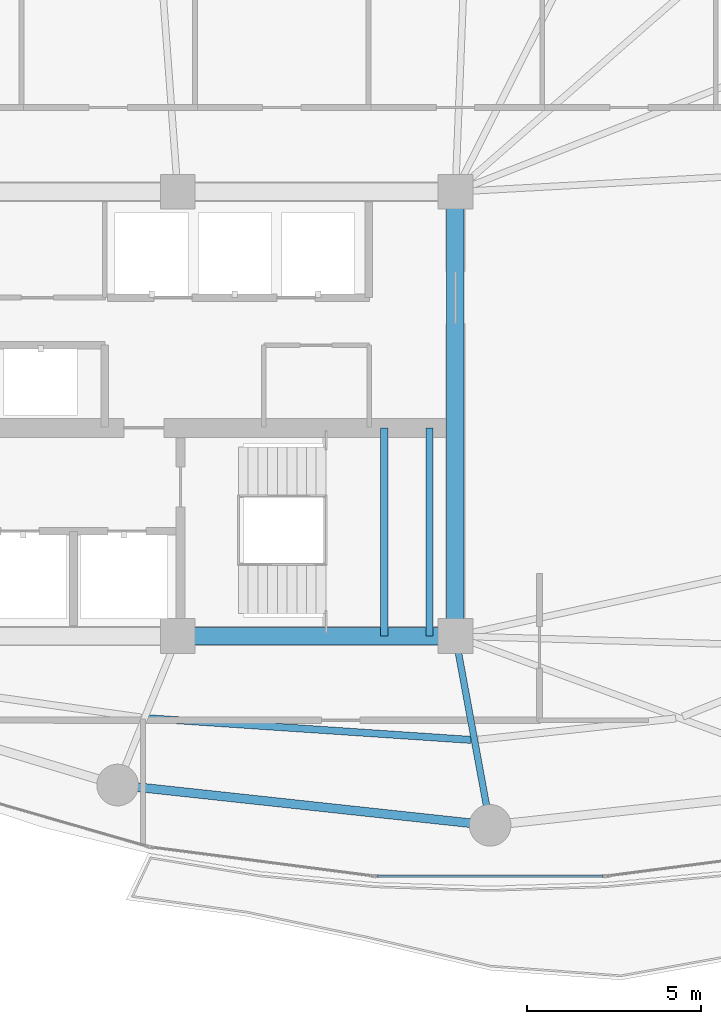
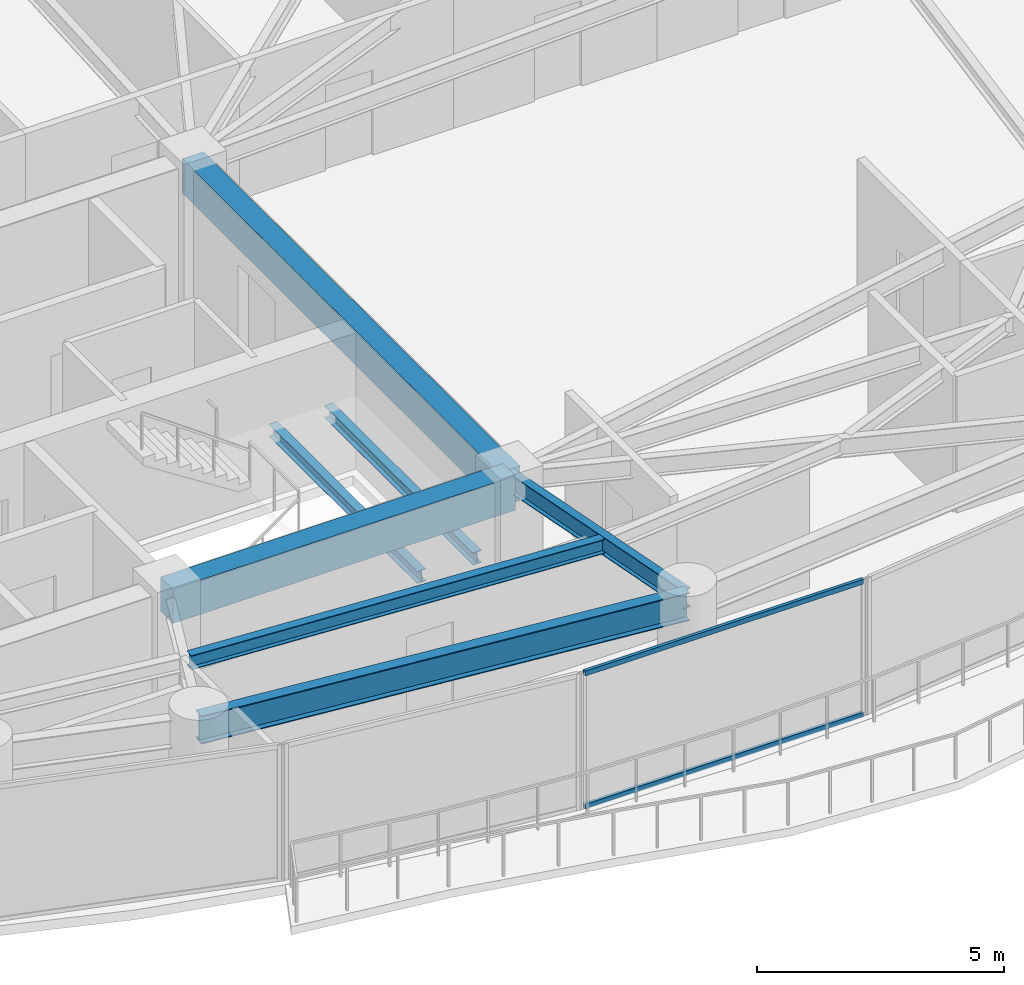
# One storey, part 6 of 30: 7 beams, 2 members, 1 element without a shape of its own.
"""IFC4 building model written with IfcOpenShell, lengths in metres."""

from ifc_helpers import new_model, si_unit, direction, frame, origin, origin_2d, place, context, subcontext, project, spatial, rectangle, hollow_rectangle, i_section, extrude, material, layer, layer_set, material_profile, profile_set, type_object, element, aggregate, save


model = new_model("IFC4")

# Units and contexts
model_context = context("Model", 3, precision=1e-05, world=origin(), true_north=direction((0.0, 1.0)))
body_context = subcontext(model_context, "Body", "Model", "MODEL_VIEW")
ifc_project = project(units=[si_unit("LENGTHUNIT", "METRE"), si_unit("AREAUNIT", "SQUARE_METRE"), si_unit("VOLUMEUNIT", "CUBIC_METRE"), si_unit("PLANEANGLEUNIT", "RADIAN"), si_unit("MASSUNIT", "GRAM", prefix="KILO")], contexts=[model_context])

# Site, building, storey
site_placement = place(None, origin())
site = spatial("IfcSite", under=ifc_project, at=site_placement, CompositionType="ELEMENT")
building_placement = place(site_placement, origin())
building = spatial("IfcBuilding", under=site, at=building_placement, Name="Kazevale Care Tower and Concert Hall", CompositionType="ELEMENT")
storey_placement = place(building_placement, frame((0.0, 0.0, 127.800048828125)))
storey = spatial("IfcBuildingStorey", under=building, at=storey_placement, Name="L33", CompositionType="ELEMENT", Elevation=127.800048828125)

# Curtain wall, members
ifc_material_1 = material(Name="Aluminium 6063-T6 and Low-E Glass", Category="aluminium")
ifc_layer = layer(ifc_material_1, 0.179931640625)
ifc_layer_set = layer_set([ifc_layer], Name="Aluminium 6063-T6 and Low-E Glass")
curtain_wall_type = type_object("IfcCurtainWallType", Name="Sheltered Concave Balcony Curtain Wall CW-5", PredefinedType="NOTDEFINED", material=ifc_layer_set)
curtain_wall_placement = place(storey_placement, origin())
curtain_wall = element("IfcCurtainWall", 1, at=curtain_wall_placement, inside=storey, type_object=curtain_wall_type, Name="cw:L33:f06", PredefinedType="NOTDEFINED")
ifc_material_2 = material(Name="Aluminium 6063-T6", Category="aluminium")
ifc_material_profile_1 = material_profile(ifc_material_2, hollow_rectangle(XDim=0.074951171875, YDim=0.1201171875, WallThickness=0.00390625, at=origin_2d()), Name="ALU75x120x4")
ifc_profile_set_1 = profile_set([ifc_material_profile_1], Name="Aluminium 6063-T6")
member_type = type_object("IfcMemberType", Name="CW-5 Transom ALU75x120x4", PredefinedType="USERDEFINED", material=ifc_profile_set_1)
member_1_placement = place(storey_placement, frame((48.25, 16.68408203125, 0.037353515625), z_axis=(-1.0, 0.0, 0.0), x_axis=(0.0, -1.0, 0.0)))
member_1 = element("IfcMember", 2, at=member_1_placement, type_object=member_type, Name="CW-5 transom 1.1", ObjectType="TRANSOM", PredefinedType="USERDEFINED", context=body_context, shape_type="SweptSolid", body=[
    extrude(hollow_rectangle(XDim=0.074951171875, YDim=0.1201171875, WallThickness=0.00390625, at=origin_2d()), origin(), (0.0, 0.0, 1.0), 6.5),
])
member_2_placement = place(storey_placement, frame((48.25, 16.68408203125, 3.322509765625), z_axis=(-1.0, 0.0, 0.0), x_axis=(0.0, -1.0, 0.0)))
member_2 = element("IfcMember", 3, at=member_2_placement, type_object=member_type, Name="CW-5 transom 1.2", ObjectType="TRANSOM", PredefinedType="USERDEFINED", context=body_context, shape_type="SweptSolid", body=[
    extrude(hollow_rectangle(XDim=0.074951171875, YDim=0.1201171875, WallThickness=0.00390625, at=origin_2d()), origin(), (0.0, 0.0, 1.0), 6.5),
])
aggregate(curtain_wall, [member_1, member_2])

# Beams
ifc_material_3 = material(Name="Concrete C60", Category="concrete")
ifc_material_profile_2 = material_profile(ifc_material_3, rectangle(XDim=0.5, YDim=0.85009765625, at=origin_2d()), Name="RC-B500x850")
ifc_profile_set_2 = profile_set([ifc_material_profile_2], Name="Concrete C60")
beam_type_1 = type_object("IfcBeamType", Name="Core Coupling Beam RC500x850", PredefinedType="LINTEL", material=ifc_profile_set_2)
beam_1_placement = place(storey_placement, frame((36.0, 23.60009765625, 2.93505859375), z_axis=(1.0, 0.0, 0.0), x_axis=(0.0, 1.0, 0.0)))
element("IfcBeam", 4, at=beam_1_placement, inside=storey, type_object=beam_type_1, Name="beam:L33:coretie:3", PredefinedType="LINTEL", context=body_context, shape_type="SweptSolid", body=[
    extrude(rectangle(XDim=0.5, YDim=0.85009765625, at=origin_2d()), origin(), (0.0, 0.0, 1.0), 8.0),
])
beam_2_placement = place(storey_placement, frame((44.0, 23.60009765625, 2.93505859375), z_axis=(0.0, 1.0, 0.0), x_axis=(-1.0, 0.0, 0.0)))
element("IfcBeam", 5, at=beam_2_placement, inside=storey, type_object=beam_type_1, Name="beam:L33:coretie:4", PredefinedType="LINTEL", context=body_context, shape_type="SweptSolid", body=[
    extrude(rectangle(XDim=0.5, YDim=0.85009765625, at=origin_2d()), origin(), (0.0, 0.0, 1.0), 12.7998046875),
])
ifc_material_4 = material(Name="Steel ASTM A572 Gr 50", Category="steel")
ifc_material_profile_3 = material_profile(ifc_material_4, i_section(OverallWidth=0.19091796875, OverallDepth=0.4599609375, WebThickness=0.010009765625, FlangeThickness=0.01611328125, at=origin_2d()), Name="W460x82")
ifc_profile_set_3 = profile_set([ifc_material_profile_3], Name="Steel ASTM A572 Gr 50")
beam_type_2 = type_object("IfcBeamType", Name="Radial Floor Beam W460x82", PredefinedType="BEAM", material=ifc_profile_set_3)
beam_3_placement = place(storey_placement, frame((44.0, 23.60009765625, 3.1298828125), z_axis=(0.180467114023, -0.983581018908, 0.0), x_axis=(0.983581018908, 0.180467114023, 0.0)))
element("IfcBeam", 6, at=beam_3_placement, inside=storey, type_object=beam_type_2, Name="beam:L33:rad:13", PredefinedType="BEAM", context=body_context, shape_type="SweptSolid", body=[
    extrude(i_section(OverallWidth=0.19091796875, OverallDepth=0.4599609375, WebThickness=0.010009765625, FlangeThickness=0.01611328125, at=origin_2d()), origin(), (0.0, 0.0, 1.0), 5.541259765625),
])
ifc_material_profile_4 = material_profile(ifc_material_4, i_section(OverallWidth=0.205078125, OverallDepth=0.35400390625, WebThickness=0.009521484375, FlangeThickness=0.016845703125, at=origin_2d()), Name="W360x79")
ifc_profile_set_4 = profile_set([ifc_material_profile_4], Name="Steel ASTM A572 Gr 50")
beam_type_3 = type_object("IfcBeamType", Name="Secondary Floor Joist W360x79", PredefinedType="JOIST", material=ifc_profile_set_4)
beam_4_placement = place(storey_placement, frame((35.153076171875, 21.23291015625, 3.182861328125), z_axis=(0.997761314569, -0.06687569925, 0.0), x_axis=(0.06687569925, 0.997761314569, 0.0)))
element("IfcBeam", 7, at=beam_4_placement, inside=storey, type_object=beam_type_3, Name="beam:L33:joist:12", PredefinedType="JOIST", context=body_context, shape_type="SweptSolid", body=[
    extrude(i_section(OverallWidth=0.205078125, OverallDepth=0.35400390625, WebThickness=0.009521484375, FlangeThickness=0.016845703125, at=origin_2d()), origin(), (0.0, 0.0, 1.0), 9.312744140625),
])
ifc_material_profile_5 = material_profile(ifc_material_4, i_section(OverallWidth=0.202880859375, OverallDepth=0.302978515625, WebThickness=0.007568359375, FlangeThickness=0.01318359375, at=origin_2d()), Name="W310x60")
ifc_profile_set_5 = profile_set([ifc_material_profile_5], Name="Steel ASTM A572 Gr 50")
beam_type_4 = type_object("IfcBeamType", Name="Stair & Balcony Trimmer W310x60", PredefinedType="BEAM", material=ifc_profile_set_5)
for number, where, z_axis, x_axis, name in (
    (8, (41.949951171875, 23.60009765625, 1.448486328125), (0.0, 1.0, 0.0), (-1.0, 0.0, 0.0), "beam:L33:sttrim:ST2"),
    (9, (43.25, 23.60009765625, 1.448486328125), (0.0, 1.0, 0.0), (-1.0, 0.0, 0.0), "beam:L33:sttrim:ST2b"),
):
    element("IfcBeam", number, at=place(storey_placement, frame(where, z_axis=z_axis, x_axis=x_axis)), inside=storey, type_object=beam_type_4, Name=name, PredefinedType="BEAM", context=body_context, shape_type="SweptSolid", body=[
        extrude(i_section(OverallWidth=0.202880859375, OverallDepth=0.302978515625, WebThickness=0.007568359375, FlangeThickness=0.01318359375, at=origin_2d()), origin(), (0.0, 0.0, 1.0), 6.0),
    ])
ifc_material_profile_6 = material_profile(ifc_material_4, i_section(OverallWidth=0.256103515625, OverallDepth=0.693115234375, WebThickness=0.014404296875, FlangeThickness=0.023681640625, at=origin_2d()), Name="W690x170")
ifc_profile_set_6 = profile_set([ifc_material_profile_6], Name="Steel ASTM A572 Gr 50")
beam_type_5 = type_object("IfcBeamType", Name="Waist Ring Beam W690x170", PredefinedType="BEAM", material=ifc_profile_set_6)
beam_5_placement = place(storey_placement, frame((34.27001953125, 19.31005859375, 3.013427734375), z_axis=(0.994205479487, -0.107496346724, 0.0), x_axis=(0.107496346724, 0.994205479487, 0.0)))
element("IfcBeam", 10, at=beam_5_placement, inside=storey, type_object=beam_type_5, Name="beam:L33:ring:12", PredefinedType="BEAM", context=body_context, shape_type="SweptSolid", body=[
    extrude(i_section(OverallWidth=0.256103515625, OverallDepth=0.693115234375, WebThickness=0.014404296875, FlangeThickness=0.023681640625, at=origin_2d()), origin(), (0.0, 0.0, 1.0), 10.79248046875),
])

save(model, "model.ifc")
